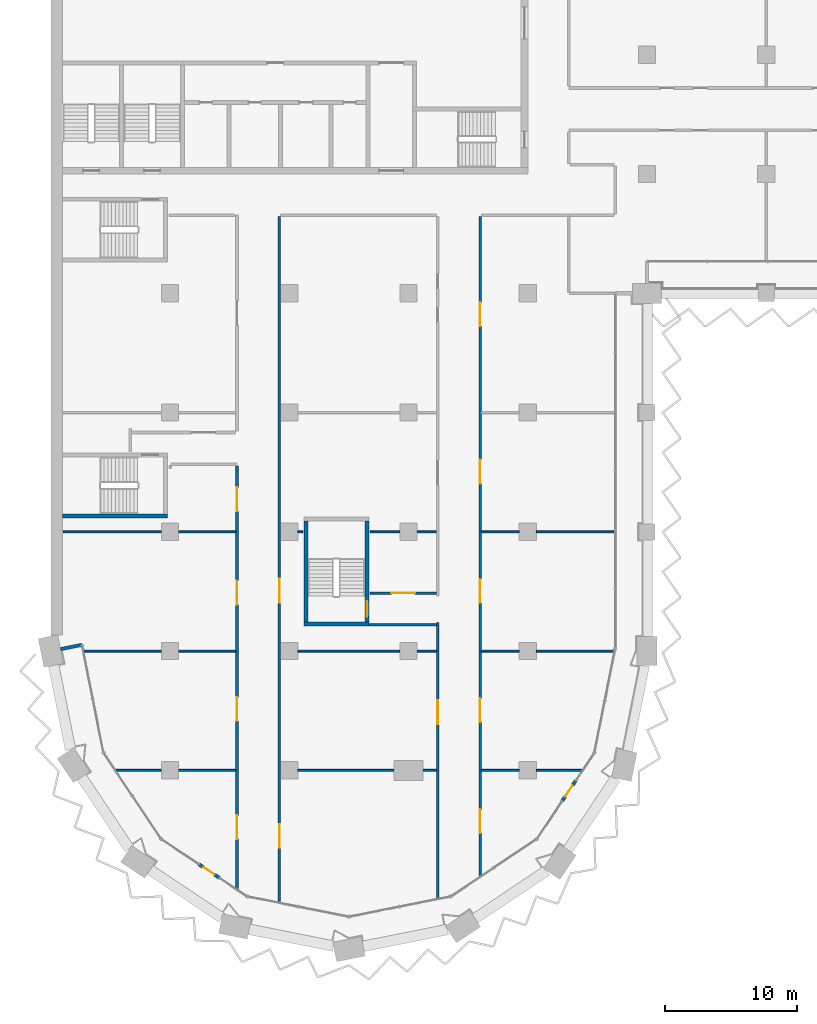
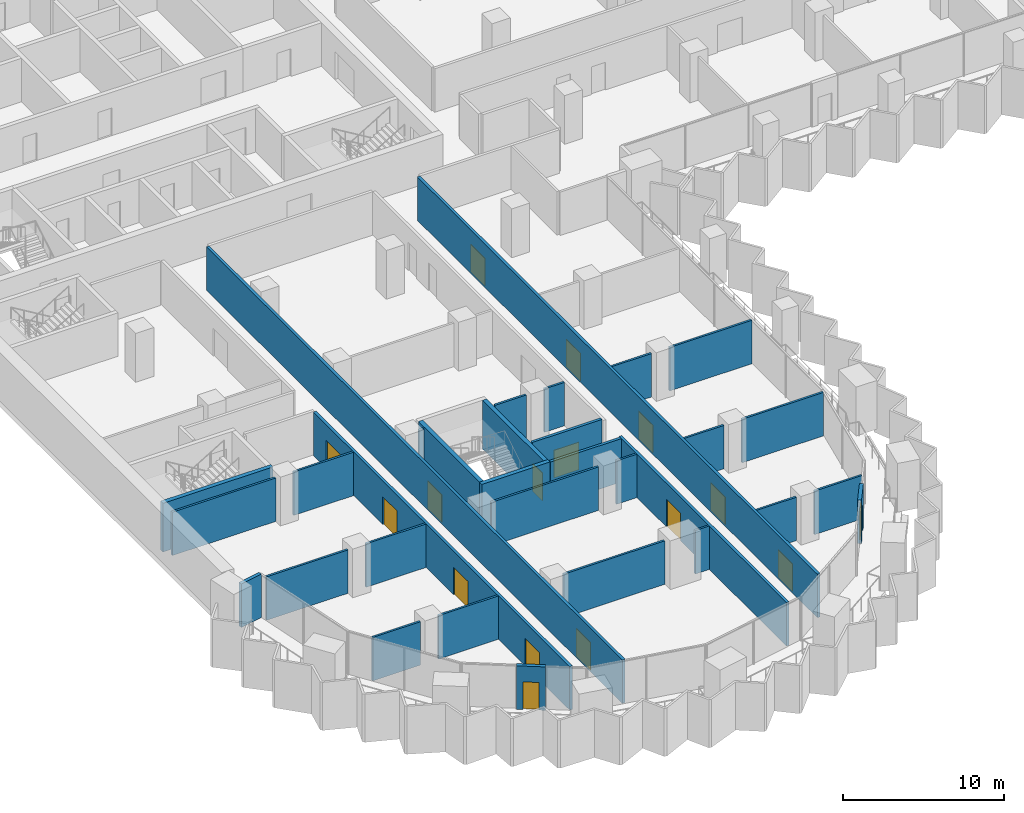
# One storey, part 9 of 22: 32 walls, 16 doors, 16 openings.
"""IFC4 building model written with IfcOpenShell, lengths in metres."""

from ifc_helpers import new_model, si_unit, direction, frame, frame_2d, origin, place, context, subcontext, project, spatial, rectangle, extrude, material, layer, layer_set, type_object, element, fill, save


model = new_model("IFC4")

# Units and contexts
model_context = context("Model", 3, precision=1e-05, world=origin(), true_north=direction((0.0, 1.0)))
body_context = subcontext(model_context, "Body", "Model", "MODEL_VIEW")
ifc_project = project(units=[si_unit("LENGTHUNIT", "METRE"), si_unit("AREAUNIT", "SQUARE_METRE"), si_unit("VOLUMEUNIT", "CUBIC_METRE"), si_unit("PLANEANGLEUNIT", "RADIAN"), si_unit("MASSUNIT", "GRAM", prefix="KILO")], contexts=[model_context])

# Site, building, storey
site_placement = place(None, origin())
site = spatial("IfcSite", under=ifc_project, at=site_placement, CompositionType="ELEMENT")
building_placement = place(site_placement, origin())
building = spatial("IfcBuilding", under=site, at=building_placement, Name="Hunhe Ridgeline Campus", CompositionType="ELEMENT")
storey_placement = place(building_placement, frame((0.0, 0.0, 114.39990234375)))
storey = spatial("IfcBuildingStorey", under=building, at=storey_placement, Name="L28", CompositionType="ELEMENT", Elevation=114.39990234375)

# Walls
ifc_material_1 = material(Name="Concrete C30", Category="concrete")
ifc_layer_1 = layer(ifc_material_1, 0.25)
ifc_layer_set_1 = layer_set([ifc_layer_1], Name="Corner return wall 250 Concrete C30")
wall_type_1 = type_object("IfcWallType", Name="Corner return wall 250 Concrete C30", PredefinedType="SOLIDWALL", material=ifc_layer_set_1)
wall_1_placement = place(storey_placement, frame((0.7353515625, 27.14697265625, 0.0), z_axis=(0.0, 0.0, 1.0), x_axis=(0.980824468215, 0.194893208067, 0.0)))
element("IfcWall", 1, at=wall_1_placement, inside=storey, type_object=wall_type_1, Name="Corner return wall 1", PredefinedType="SOLIDWALL", context=body_context, shape_type="SweptSolid", body=[
    extrude(rectangle(XDim=1.651123046875, YDim=0.25, at=frame_2d((0.82568359375, 0.0))), origin(), (0.0, 0.0, 1.0), 3.300048828125),
])
ifc_material_2 = material(Name="Gypsum board partition")
ifc_layer_2 = layer(ifc_material_2, 0.199951171875)
ifc_layer_set_2 = layer_set([ifc_layer_2], Name="Corridor partition 200 gypsum board on steel studs")
wall_type_2 = type_object("IfcWallType", Name="Corridor partition 200 gypsum board on steel studs", PredefinedType="PARTITIONING", material=ifc_layer_set_2)
wall_2_placement = place(storey_placement, frame((29.10009765625, 28.97509765625, 0.0), z_axis=(0.0, 0.0, 1.0), x_axis=(-1.0, 0.0, 0.0)))
element("IfcWall", 2, at=wall_2_placement, inside=storey, type_object=wall_type_2, Name="F-L28-wall-013", PredefinedType="PARTITIONING", context=body_context, shape_type="SweptSolid", body=[
    extrude(rectangle(XDim=5.070068359375, YDim=0.199951171875, at=frame_2d((2.53515625, 0.0))), origin(), (0.0, 0.0, 1.0), 3.300048828125),
])

# Wall, opening, door
wall_3_placement = place(storey_placement, frame((24.10400390625, 31.375, 0.0), z_axis=(0.0, 0.0, 1.0), x_axis=(1.0, 0.0, 0.0)))
wall_3 = element("IfcWall", 3, at=wall_3_placement, inside=storey, type_object=wall_type_2, Name="F-L28-wall-014", PredefinedType="PARTITIONING", context=body_context, shape_type="SweptSolid", body=[
    extrude(rectangle(XDim=4.99609375, YDim=0.199951171875, at=frame_2d((2.498046875, 0.0))), origin(), (0.0, 0.0, 1.0), 3.300048828125),
])
opening_1_placement = place(wall_3_placement, frame((1.597900390625, 0.0, 0.0)))
opening_1 = element("IfcOpeningElement", 4, at=opening_1_placement, cuts=wall_3, Name="Opening RD2-008", PredefinedType="OPENING", context=body_context, shape_type="SweptSolid", body=[
    extrude(rectangle(XDim=1.800048828125, YDim=2.10009765625, at=frame_2d((0.89990234375, 1.050048828125))), frame((0.0, 0.10009765625, 0.0), z_axis=(0.0, -1.0, 0.0), x_axis=(1.0, 0.0, 0.0)), (0.0, 0.0, 1.0), 0.199951171875),
])
ifc_material_3 = material(Name="Timber door leaf", Category="wood")
door_type_1 = type_object("IfcDoorType", Name="Double fire door 1800x2100 timber FD60", OperationType="DOUBLE_DOOR_SINGLE_SWING", PredefinedType="DOOR", material=ifc_material_3)
door_1_placement = place(opening_1_placement, origin())
door_1 = element("IfcDoor", 5, at=door_1_placement, inside=storey, type_object=door_type_1, Name="F-L28-door-008", OperationType="DOUBLE_DOOR_SINGLE_SWING", OverallHeight=2.10009765625, OverallWidth=1.800048828125, PredefinedType="DOOR", context=body_context, shape_type="SweptSolid", body=[
    extrude(rectangle(XDim=1.800048828125, YDim=2.10009765625, at=frame_2d((0.89990234375, 1.050048828125))), frame((0.0, 0.02490234375, 0.0), z_axis=(0.0, -1.0, 0.0), x_axis=(1.0, 0.0, 0.0)), (0.0, 0.0, 1.0), 0.050048828125),
])
fill(opening_1, door_1)

# Wall, openings, doors
wall_4_placement = place(storey_placement, frame((14.050048828125, 9.05810546875, 0.0), z_axis=(0.0, 0.0, 1.0), x_axis=(0.0, 1.0, 0.0)))
wall_4 = element("IfcWall", 6, at=wall_4_placement, inside=storey, type_object=wall_type_2, Name="F-L28-wall-043", PredefinedType="PARTITIONING", context=body_context, shape_type="SweptSolid", body=[
    extrude(rectangle(XDim=31.90087890625, YDim=0.199951171875, at=frame_2d((15.950439453125, 0.0))), origin(), (0.0, 0.0, 1.0), 3.300048828125),
])
opening_2_placement = place(wall_4_placement, frame((3.7470703125, 0.0, 0.0)))
opening_2 = element("IfcOpeningElement", 7, at=opening_2_placement, cuts=wall_4, Name="Opening RD2-002", PredefinedType="OPENING", context=body_context, shape_type="SweptSolid", body=[
    extrude(rectangle(XDim=1.800048828125, YDim=2.10009765625, at=frame_2d((0.89990234375, 1.050048828125))), frame((0.0, 0.10009765625, 0.0), z_axis=(0.0, -1.0, 0.0), x_axis=(1.0, 0.0, 0.0)), (0.0, 0.0, 1.0), 0.199951171875),
])
opening_3_placement = place(wall_4_placement, frame((12.6640625, 0.0, 0.0)))
opening_3 = element("IfcOpeningElement", 8, at=opening_3_placement, cuts=wall_4, Name="Opening RD2-006", PredefinedType="OPENING", context=body_context, shape_type="SweptSolid", body=[
    extrude(rectangle(XDim=1.800048828125, YDim=2.10009765625, at=frame_2d((0.89990234375, 1.050048828125))), frame((0.0, 0.10009765625, 0.0), z_axis=(0.0, -1.0, 0.0), x_axis=(1.0, 0.0, 0.0)), (0.0, 0.0, 1.0), 0.199951171875),
])
opening_4_placement = place(wall_4_placement, frame((21.455810546875, 0.0, 0.0)))
opening_4 = element("IfcOpeningElement", 9, at=opening_4_placement, cuts=wall_4, Name="Opening RD2-007", PredefinedType="OPENING", context=body_context, shape_type="SweptSolid", body=[
    extrude(rectangle(XDim=1.800048828125, YDim=2.10009765625, at=frame_2d((0.89990234375, 1.050048828125))), frame((0.0, 0.10009765625, 0.0), z_axis=(0.0, -1.0, 0.0), x_axis=(1.0, 0.0, 0.0)), (0.0, 0.0, 1.0), 0.199951171875),
])
opening_5_placement = place(wall_4_placement, frame((28.489013671875, 0.0, 0.0)))
opening_5 = element("IfcOpeningElement", 10, at=opening_5_placement, cuts=wall_4, Name="Opening RD2-011", PredefinedType="OPENING", context=body_context, shape_type="SweptSolid", body=[
    extrude(rectangle(XDim=1.800048828125, YDim=2.10009765625, at=frame_2d((0.89990234375, 1.050048828125))), frame((0.0, 0.10009765625, 0.0), z_axis=(0.0, -1.0, 0.0), x_axis=(1.0, 0.0, 0.0)), (0.0, 0.0, 1.0), 0.199951171875),
])
door_2_placement = place(opening_2_placement, origin())
door_2 = element("IfcDoor", 11, at=door_2_placement, inside=storey, type_object=door_type_1, Name="F-L28-door-002", OperationType="DOUBLE_DOOR_SINGLE_SWING", OverallHeight=2.10009765625, OverallWidth=1.800048828125, PredefinedType="DOOR", context=body_context, shape_type="SweptSolid", body=[
    extrude(rectangle(XDim=1.800048828125, YDim=2.10009765625, at=frame_2d((0.89990234375, 1.050048828125))), frame((0.0, 0.02490234375, 0.0), z_axis=(0.0, -1.0, 0.0), x_axis=(1.0, 0.0, 0.0)), (0.0, 0.0, 1.0), 0.050048828125),
])
fill(opening_2, door_2)
door_3_placement = place(opening_3_placement, origin())
door_3 = element("IfcDoor", 12, at=door_3_placement, inside=storey, type_object=door_type_1, Name="F-L28-door-006", OperationType="DOUBLE_DOOR_SINGLE_SWING", OverallHeight=2.10009765625, OverallWidth=1.800048828125, PredefinedType="DOOR", context=body_context, shape_type="SweptSolid", body=[
    extrude(rectangle(XDim=1.800048828125, YDim=2.10009765625, at=frame_2d((0.89990234375, 1.050048828125))), frame((0.0, 0.02490234375, 0.0), z_axis=(0.0, -1.0, 0.0), x_axis=(1.0, 0.0, 0.0)), (0.0, 0.0, 1.0), 0.050048828125),
])
fill(opening_3, door_3)
door_4_placement = place(opening_4_placement, origin())
door_4 = element("IfcDoor", 13, at=door_4_placement, inside=storey, type_object=door_type_1, Name="F-L28-door-007", OperationType="DOUBLE_DOOR_SINGLE_SWING", OverallHeight=2.10009765625, OverallWidth=1.800048828125, PredefinedType="DOOR", context=body_context, shape_type="SweptSolid", body=[
    extrude(rectangle(XDim=1.800048828125, YDim=2.10009765625, at=frame_2d((0.89990234375, 1.050048828125))), frame((0.0, 0.02490234375, 0.0), z_axis=(0.0, -1.0, 0.0), x_axis=(1.0, 0.0, 0.0)), (0.0, 0.0, 1.0), 0.050048828125),
])
fill(opening_4, door_4)
door_5_placement = place(opening_5_placement, origin())
door_5 = element("IfcDoor", 14, at=door_5_placement, inside=storey, type_object=door_type_1, Name="F-L28-door-011", OperationType="DOUBLE_DOOR_SINGLE_SWING", OverallHeight=2.10009765625, OverallWidth=1.800048828125, PredefinedType="DOOR", context=body_context, shape_type="SweptSolid", body=[
    extrude(rectangle(XDim=1.800048828125, YDim=2.10009765625, at=frame_2d((0.89990234375, 1.050048828125))), frame((0.0, 0.02490234375, 0.0), z_axis=(0.0, -1.0, 0.0), x_axis=(1.0, 0.0, 0.0)), (0.0, 0.0, 1.0), 0.050048828125),
])
fill(opening_5, door_5)

wall_5_placement = place(storey_placement, frame((17.25, 59.800048828125, 0.0), z_axis=(0.0, 0.0, 1.0), x_axis=(0.0, -1.0, 0.0)))
wall_5 = element("IfcWall", 15, at=wall_5_placement, inside=storey, type_object=wall_type_2, Name="F-L28-wall-045", PredefinedType="PARTITIONING", context=body_context, shape_type="SweptSolid", body=[
    extrude(rectangle(XDim=51.752685546875, YDim=0.199951171875, at=frame_2d((25.87646484375, 0.0))), origin(), (0.0, 0.0, 1.0), 3.300048828125),
])
opening_6_placement = place(wall_5_placement, frame((45.852294921875, 0.0, 0.0)))
opening_6 = element("IfcOpeningElement", 16, at=opening_6_placement, cuts=wall_5, Name="Opening RD2-001", PredefinedType="OPENING", context=body_context, shape_type="SweptSolid", body=[
    extrude(rectangle(XDim=1.800048828125, YDim=2.10009765625, at=frame_2d((0.89990234375, 1.050048828125))), frame((0.0, 0.10009765625, 0.0), z_axis=(0.0, -1.0, 0.0), x_axis=(1.0, 0.0, 0.0)), (0.0, 0.0, 1.0), 0.199951171875),
])
opening_7_placement = place(wall_5_placement, frame((27.351318359375, 0.0, 0.0)))
opening_7 = element("IfcOpeningElement", 17, at=opening_7_placement, cuts=wall_5, Name="Opening RD2-009", PredefinedType="OPENING", context=body_context, shape_type="SweptSolid", body=[
    extrude(rectangle(XDim=1.800048828125, YDim=2.10009765625, at=frame_2d((0.89990234375, 1.050048828125))), frame((0.0, 0.10009765625, 0.0), z_axis=(0.0, -1.0, 0.0), x_axis=(1.0, 0.0, 0.0)), (0.0, 0.0, 1.0), 0.199951171875),
])
door_6_placement = place(opening_6_placement, origin())
door_6 = element("IfcDoor", 18, at=door_6_placement, inside=storey, type_object=door_type_1, Name="F-L28-door-001", OperationType="DOUBLE_DOOR_SINGLE_SWING", OverallHeight=2.10009765625, OverallWidth=1.800048828125, PredefinedType="DOOR", context=body_context, shape_type="SweptSolid", body=[
    extrude(rectangle(XDim=1.800048828125, YDim=2.10009765625, at=frame_2d((0.89990234375, 1.050048828125))), frame((0.0, 0.02490234375, 0.0), z_axis=(0.0, -1.0, 0.0), x_axis=(1.0, 0.0, 0.0)), (0.0, 0.0, 1.0), 0.050048828125),
])
fill(opening_6, door_6)
door_7_placement = place(opening_7_placement, origin())
door_7 = element("IfcDoor", 19, at=door_7_placement, inside=storey, type_object=door_type_1, Name="F-L28-door-009", OperationType="DOUBLE_DOOR_SINGLE_SWING", OverallHeight=2.10009765625, OverallWidth=1.800048828125, PredefinedType="DOOR", context=body_context, shape_type="SweptSolid", body=[
    extrude(rectangle(XDim=1.800048828125, YDim=2.10009765625, at=frame_2d((0.89990234375, 1.050048828125))), frame((0.0, 0.02490234375, 0.0), z_axis=(0.0, -1.0, 0.0), x_axis=(1.0, 0.0, 0.0)), (0.0, 0.0, 1.0), 0.050048828125),
])
fill(opening_7, door_7)

# Wall, opening, door
wall_6_placement = place(storey_placement, frame((29.199951171875, 8.335693359375, 0.0), z_axis=(0.0, 0.0, 1.0), x_axis=(0.0, 1.0, 0.0)))
wall_6 = element("IfcWall", 20, at=wall_6_placement, inside=storey, type_object=wall_type_2, Name="F-L28-wall-046", PredefinedType="PARTITIONING", context=body_context, shape_type="SweptSolid", body=[
    extrude(rectangle(XDim=20.82421875, YDim=0.199951171875, at=frame_2d((10.412109375, 0.0))), origin(), (0.0, 0.0, 1.0), 3.300048828125),
])
opening_8_placement = place(wall_6_placement, frame((13.14990234375, 0.0, 0.0)))
opening_8 = element("IfcOpeningElement", 21, at=opening_8_placement, cuts=wall_6, Name="Opening RD2-004", PredefinedType="OPENING", context=body_context, shape_type="SweptSolid", body=[
    extrude(rectangle(XDim=1.800048828125, YDim=2.10009765625, at=frame_2d((0.89990234375, 1.050048828125))), frame((0.0, 0.10009765625, 0.0), z_axis=(0.0, -1.0, 0.0), x_axis=(1.0, 0.0, 0.0)), (0.0, 0.0, 1.0), 0.199951171875),
])
door_8_placement = place(opening_8_placement, origin())
door_8 = element("IfcDoor", 22, at=door_8_placement, inside=storey, type_object=door_type_1, Name="F-L28-door-004", OperationType="DOUBLE_DOOR_SINGLE_SWING", OverallHeight=2.10009765625, OverallWidth=1.800048828125, PredefinedType="DOOR", context=body_context, shape_type="SweptSolid", body=[
    extrude(rectangle(XDim=1.800048828125, YDim=2.10009765625, at=frame_2d((0.89990234375, 1.050048828125))), frame((0.0, 0.02490234375, 0.0), z_axis=(0.0, -1.0, 0.0), x_axis=(1.0, 0.0, 0.0)), (0.0, 0.0, 1.0), 0.050048828125),
])
fill(opening_8, door_8)

# Wall, openings, doors
wall_7_placement = place(storey_placement, frame((32.39990234375, 59.800048828125, 0.0), z_axis=(0.0, 0.0, 1.0), x_axis=(0.0, -1.0, 0.0)))
wall_7 = element("IfcWall", 23, at=wall_7_placement, inside=storey, type_object=wall_type_2, Name="F-L28-wall-048", PredefinedType="PARTITIONING", context=body_context, shape_type="SweptSolid", body=[
    extrude(rectangle(XDim=49.77294921875, YDim=0.199951171875, at=frame_2d((24.886474609375, 0.0))), origin(), (0.0, 0.0, 1.0), 3.300048828125),
])
opening_9_placement = place(wall_7_placement, frame((44.74609375, 0.0, 0.0)))
opening_9 = element("IfcOpeningElement", 24, at=opening_9_placement, cuts=wall_7, Name="Opening RD2-003", PredefinedType="OPENING", context=body_context, shape_type="SweptSolid", body=[
    extrude(rectangle(XDim=1.800048828125, YDim=2.10009765625, at=frame_2d((0.89990234375, 1.050048828125))), frame((0.0, 0.10009765625, 0.0), z_axis=(0.0, -1.0, 0.0), x_axis=(1.0, 0.0, 0.0)), (0.0, 0.0, 1.0), 0.199951171875),
])
opening_10_placement = place(wall_7_placement, frame((36.3671875, 0.0, 0.0)))
opening_10 = element("IfcOpeningElement", 25, at=opening_10_placement, cuts=wall_7, Name="Opening RD2-005", PredefinedType="OPENING", context=body_context, shape_type="SweptSolid", body=[
    extrude(rectangle(XDim=1.800048828125, YDim=2.10009765625, at=frame_2d((0.89990234375, 1.050048828125))), frame((0.0, 0.10009765625, 0.0), z_axis=(0.0, -1.0, 0.0), x_axis=(1.0, 0.0, 0.0)), (0.0, 0.0, 1.0), 0.199951171875),
])
opening_11_placement = place(wall_7_placement, frame((27.363037109375, 0.0, 0.0)))
opening_11 = element("IfcOpeningElement", 26, at=opening_11_placement, cuts=wall_7, Name="Opening RD2-010", PredefinedType="OPENING", context=body_context, shape_type="SweptSolid", body=[
    extrude(rectangle(XDim=1.800048828125, YDim=2.10009765625, at=frame_2d((0.89990234375, 1.050048828125))), frame((0.0, 0.10009765625, 0.0), z_axis=(0.0, -1.0, 0.0), x_axis=(1.0, 0.0, 0.0)), (0.0, 0.0, 1.0), 0.199951171875),
])
opening_12_placement = place(wall_7_placement, frame((18.35888671875, 0.0, 0.0)))
opening_12 = element("IfcOpeningElement", 27, at=opening_12_placement, cuts=wall_7, Name="Opening RD2-013", PredefinedType="OPENING", context=body_context, shape_type="SweptSolid", body=[
    extrude(rectangle(XDim=1.800048828125, YDim=2.10009765625, at=frame_2d((0.89990234375, 1.050048828125))), frame((0.0, 0.10009765625, 0.0), z_axis=(0.0, -1.0, 0.0), x_axis=(1.0, 0.0, 0.0)), (0.0, 0.0, 1.0), 0.199951171875),
])
opening_13_placement = place(wall_7_placement, frame((6.478515625, 0.0, 0.0)))
opening_13 = element("IfcOpeningElement", 28, at=opening_13_placement, cuts=wall_7, Name="Opening RD2-016", PredefinedType="OPENING", context=body_context, shape_type="SweptSolid", body=[
    extrude(rectangle(XDim=1.800048828125, YDim=2.10009765625, at=frame_2d((0.89990234375, 1.050048828125))), frame((0.0, 0.10009765625, 0.0), z_axis=(0.0, -1.0, 0.0), x_axis=(1.0, 0.0, 0.0)), (0.0, 0.0, 1.0), 0.199951171875),
])
door_9_placement = place(opening_9_placement, origin())
door_9 = element("IfcDoor", 29, at=door_9_placement, inside=storey, type_object=door_type_1, Name="F-L28-door-003", OperationType="DOUBLE_DOOR_SINGLE_SWING", OverallHeight=2.10009765625, OverallWidth=1.800048828125, PredefinedType="DOOR", context=body_context, shape_type="SweptSolid", body=[
    extrude(rectangle(XDim=1.800048828125, YDim=2.10009765625, at=frame_2d((0.89990234375, 1.050048828125))), frame((0.0, 0.02490234375, 0.0), z_axis=(0.0, -1.0, 0.0), x_axis=(1.0, 0.0, 0.0)), (0.0, 0.0, 1.0), 0.050048828125),
])
fill(opening_9, door_9)
door_10_placement = place(opening_10_placement, origin())
door_10 = element("IfcDoor", 30, at=door_10_placement, inside=storey, type_object=door_type_1, Name="F-L28-door-005", OperationType="DOUBLE_DOOR_SINGLE_SWING", OverallHeight=2.10009765625, OverallWidth=1.800048828125, PredefinedType="DOOR", context=body_context, shape_type="SweptSolid", body=[
    extrude(rectangle(XDim=1.800048828125, YDim=2.10009765625, at=frame_2d((0.89990234375, 1.050048828125))), frame((0.0, 0.02490234375, 0.0), z_axis=(0.0, -1.0, 0.0), x_axis=(1.0, 0.0, 0.0)), (0.0, 0.0, 1.0), 0.050048828125),
])
fill(opening_10, door_10)
door_11_placement = place(opening_11_placement, origin())
door_11 = element("IfcDoor", 31, at=door_11_placement, inside=storey, type_object=door_type_1, Name="F-L28-door-010", OperationType="DOUBLE_DOOR_SINGLE_SWING", OverallHeight=2.10009765625, OverallWidth=1.800048828125, PredefinedType="DOOR", context=body_context, shape_type="SweptSolid", body=[
    extrude(rectangle(XDim=1.800048828125, YDim=2.10009765625, at=frame_2d((0.89990234375, 1.050048828125))), frame((0.0, 0.02490234375, 0.0), z_axis=(0.0, -1.0, 0.0), x_axis=(1.0, 0.0, 0.0)), (0.0, 0.0, 1.0), 0.050048828125),
])
fill(opening_11, door_11)
door_12_placement = place(opening_12_placement, origin())
door_12 = element("IfcDoor", 32, at=door_12_placement, inside=storey, type_object=door_type_1, Name="F-L28-door-013", OperationType="DOUBLE_DOOR_SINGLE_SWING", OverallHeight=2.10009765625, OverallWidth=1.800048828125, PredefinedType="DOOR", context=body_context, shape_type="SweptSolid", body=[
    extrude(rectangle(XDim=1.800048828125, YDim=2.10009765625, at=frame_2d((0.89990234375, 1.050048828125))), frame((0.0, 0.02490234375, 0.0), z_axis=(0.0, -1.0, 0.0), x_axis=(1.0, 0.0, 0.0)), (0.0, 0.0, 1.0), 0.050048828125),
])
fill(opening_12, door_12)
door_13_placement = place(opening_13_placement, origin())
door_13 = element("IfcDoor", 33, at=door_13_placement, inside=storey, type_object=door_type_1, Name="F-L28-door-016", OperationType="DOUBLE_DOOR_SINGLE_SWING", OverallHeight=2.10009765625, OverallWidth=1.800048828125, PredefinedType="DOOR", context=body_context, shape_type="SweptSolid", body=[
    extrude(rectangle(XDim=1.800048828125, YDim=2.10009765625, at=frame_2d((0.89990234375, 1.050048828125))), frame((0.0, 0.02490234375, 0.0), z_axis=(0.0, -1.0, 0.0), x_axis=(1.0, 0.0, 0.0)), (0.0, 0.0, 1.0), 0.050048828125),
])
fill(opening_13, door_13)

# Wall, opening, door
ifc_layer_3 = layer(ifc_material_1, 0.25)
ifc_layer_set_3 = layer_set([ifc_layer_3], Name="Loggia door pier wall 250 Concrete C30")
wall_type_3 = type_object("IfcWallType", Name="Loggia door pier wall 250 Concrete C30", PredefinedType="SOLIDWALL", material=ifc_layer_set_3)
wall_8_placement = place(storey_placement, frame((11.19970703125, 10.897705078125, 0.0), z_axis=(0.0, 0.0, 1.0), x_axis=(0.83146554274, -0.555576323502, 0.0)))
wall_8 = element("IfcWall", 34, at=wall_8_placement, inside=storey, type_object=wall_type_3, Name="Loggia door pier 1", PredefinedType="SOLIDWALL", context=body_context, shape_type="SweptSolid", body=[
    extrude(rectangle(XDim=1.800048828125, YDim=0.25, at=frame_2d((0.89990234375, 0.0))), origin(), (0.0, 0.0, 1.0), 3.300048828125),
])
opening_14_placement = place(wall_8_placement, frame((0.39990234375, 0.0, 0.0)))
opening_14 = element("IfcOpeningElement", 35, at=opening_14_placement, cuts=wall_8, Name="Opening BD202", PredefinedType="OPENING", context=body_context, shape_type="SweptSolid", body=[
    extrude(rectangle(XDim=1.0, YDim=2.10009765625, at=frame_2d((0.5, 1.050048828125))), frame((0.0, 0.125, 0.0), z_axis=(0.0, -1.0, 0.0), x_axis=(1.0, 0.0, 0.0)), (0.0, 0.0, 1.0), 0.25),
])
ifc_material_4 = material(Name="Aluminium 6063", Category="aluminium")
door_type_2 = type_object("IfcDoorType", Name="Loggia glazed door 1000x2100", OperationType="NOTDEFINED", PredefinedType="DOOR", material=ifc_material_4)
door_14_placement = place(opening_14_placement, frame((1.0, 0.0, 0.0), z_axis=(0.0, 0.0, 1.0), x_axis=(-1.0, 0.0, 0.0)))
door_14 = element("IfcDoor", 36, at=door_14_placement, inside=storey, type_object=door_type_2, Name="Loggia door BD202", OperationType="SINGLE_SWING_LEFT", OverallHeight=2.10009765625, OverallWidth=1.0, PredefinedType="DOOR", context=body_context, shape_type="SweptSolid", body=[
    extrude(rectangle(XDim=1.0, YDim=2.10009765625, at=frame_2d((0.5, 1.050048828125))), frame((0.0, 0.02490234375, 0.0), z_axis=(0.0, -1.0, 0.0), x_axis=(1.0, 0.0, 0.0)), (0.0, 0.0, 1.0), 0.050048828125),
])
fill(opening_14, door_14)

wall_9_placement = place(storey_placement, frame((38.602294921875, 15.69970703125, 0.0), z_axis=(0.0, 0.0, 1.0), x_axis=(0.555576323502, 0.83146554274, 0.0)))
wall_9 = element("IfcWall", 37, at=wall_9_placement, inside=storey, type_object=wall_type_3, Name="Loggia door pier 2", PredefinedType="SOLIDWALL", context=body_context, shape_type="SweptSolid", body=[
    extrude(rectangle(XDim=1.800048828125, YDim=0.25, at=frame_2d((0.89990234375, 0.0))), origin(), (0.0, 0.0, 1.0), 3.300048828125),
])
opening_15_placement = place(wall_9_placement, frame((0.39990234375, 0.0, 0.0)))
opening_15 = element("IfcOpeningElement", 38, at=opening_15_placement, cuts=wall_9, Name="Opening BD204", PredefinedType="OPENING", context=body_context, shape_type="SweptSolid", body=[
    extrude(rectangle(XDim=1.0, YDim=2.10009765625, at=frame_2d((0.5, 1.050048828125))), frame((0.0, 0.125, 0.0), z_axis=(0.0, -1.0, 0.0), x_axis=(1.0, 0.0, 0.0)), (0.0, 0.0, 1.0), 0.25),
])
door_15_placement = place(opening_15_placement, frame((1.0, 0.0, 0.0), z_axis=(0.0, 0.0, 1.0), x_axis=(-1.0, 0.0, 0.0)))
door_15 = element("IfcDoor", 39, at=door_15_placement, inside=storey, type_object=door_type_2, Name="Loggia door BD204", OperationType="SINGLE_SWING_LEFT", OverallHeight=2.10009765625, OverallWidth=1.0, PredefinedType="DOOR", context=body_context, shape_type="SweptSolid", body=[
    extrude(rectangle(XDim=1.0, YDim=2.10009765625, at=frame_2d((0.5, 1.050048828125))), frame((0.0, 0.02490234375, 0.0), z_axis=(0.0, -1.0, 0.0), x_axis=(1.0, 0.0, 0.0)), (0.0, 0.0, 1.0), 0.050048828125),
])
fill(opening_15, door_15)

# Walls
ifc_layer_4 = layer(ifc_material_2, 0.14990234375)
ifc_layer_set_4 = layer_set([ifc_layer_4], Name="Room partition 150 gypsum board on steel studs")
wall_type_4 = type_object("IfcWallType", Name="Room partition 150 gypsum board on steel studs", PredefinedType="PARTITIONING", material=ifc_layer_set_4)
wall_10_placement = place(storey_placement, frame((4.925537109375, 18.0, 0.0), z_axis=(0.0, 0.0, 1.0), x_axis=(1.0, 0.0, 0.0)))
element("IfcWall", 40, at=wall_10_placement, inside=storey, type_object=wall_type_4, Name="F-L28-wall-001", PredefinedType="PARTITIONING", context=body_context, shape_type="SweptSolid", body=[
    extrude(rectangle(XDim=3.424560546875, YDim=0.14990234375, at=frame_2d((1.71240234375, 0.0))), origin(), (0.0, 0.0, 1.0), 3.300048828125),
])
wall_11_placement = place(storey_placement, frame((9.64990234375, 18.0, 0.0), z_axis=(0.0, 0.0, 1.0), x_axis=(1.0, 0.0, 0.0)))
element("IfcWall", 41, at=wall_11_placement, inside=storey, type_object=wall_type_4, Name="F-L28-wall-002", PredefinedType="PARTITIONING", context=body_context, shape_type="SweptSolid", body=[
    extrude(rectangle(XDim=4.300048828125, YDim=0.14990234375, at=frame_2d((2.14990234375, 0.0))), origin(), (0.0, 0.0, 1.0), 3.300048828125),
])
wall_12_placement = place(storey_placement, frame((18.64990234375, 18.0, 0.0), z_axis=(0.0, 0.0, 1.0), x_axis=(1.0, 0.0, 0.0)))
element("IfcWall", 42, at=wall_12_placement, inside=storey, type_object=wall_type_4, Name="F-L28-wall-003", PredefinedType="PARTITIONING", context=body_context, shape_type="SweptSolid", body=[
    extrude(rectangle(XDim=7.25, YDim=0.14990234375, at=frame_2d((3.625, 0.0))), origin(), (0.0, 0.0, 1.0), 3.300048828125),
])
wall_13_placement = place(storey_placement, frame((28.10009765625, 18.0, 0.0), z_axis=(0.0, 0.0, 1.0), x_axis=(1.0, 0.0, 0.0)))
element("IfcWall", 43, at=wall_13_placement, inside=storey, type_object=wall_type_4, Name="F-L28-wall-004", PredefinedType="PARTITIONING", context=body_context, shape_type="SweptSolid", body=[
    extrude(rectangle(XDim=1.0, YDim=0.14990234375, at=frame_2d((0.5, 0.0))), origin(), (0.0, 0.0, 1.0), 3.300048828125),
])
wall_14_placement = place(storey_placement, frame((32.5, 18.0, 0.0), z_axis=(0.0, 0.0, 1.0), x_axis=(1.0, 0.0, 0.0)))
element("IfcWall", 44, at=wall_14_placement, inside=storey, type_object=wall_type_4, Name="F-L28-wall-005", PredefinedType="PARTITIONING", context=body_context, shape_type="SweptSolid", body=[
    extrude(rectangle(XDim=2.85009765625, YDim=0.14990234375, at=frame_2d((1.425048828125, 0.0))), origin(), (0.0, 0.0, 1.0), 3.300048828125),
])
wall_15_placement = place(storey_placement, frame((36.64990234375, 18.0, 0.0), z_axis=(0.0, 0.0, 1.0), x_axis=(1.0, 0.0, 0.0)))
element("IfcWall", 45, at=wall_15_placement, inside=storey, type_object=wall_type_4, Name="F-L28-wall-006", PredefinedType="PARTITIONING", context=body_context, shape_type="SweptSolid", body=[
    extrude(rectangle(XDim=3.424560546875, YDim=0.14990234375, at=frame_2d((1.71240234375, 0.0))), origin(), (0.0, 0.0, 1.0), 3.300048828125),
])
wall_16_placement = place(storey_placement, frame((2.503173828125, 27.0, 0.0), z_axis=(0.0, 0.0, 1.0), x_axis=(1.0, 0.0, 0.0)))
element("IfcWall", 46, at=wall_16_placement, inside=storey, type_object=wall_type_4, Name="F-L28-wall-007", PredefinedType="PARTITIONING", context=body_context, shape_type="SweptSolid", body=[
    extrude(rectangle(XDim=5.846923828125, YDim=0.14990234375, at=frame_2d((2.92333984375, 0.0))), origin(), (0.0, 0.0, 1.0), 3.300048828125),
])
wall_17_placement = place(storey_placement, frame((9.64990234375, 27.0, 0.0), z_axis=(0.0, 0.0, 1.0), x_axis=(1.0, 0.0, 0.0)))
element("IfcWall", 47, at=wall_17_placement, inside=storey, type_object=wall_type_4, Name="F-L28-wall-008", PredefinedType="PARTITIONING", context=body_context, shape_type="SweptSolid", body=[
    extrude(rectangle(XDim=4.300048828125, YDim=0.14990234375, at=frame_2d((2.14990234375, 0.0))), origin(), (0.0, 0.0, 1.0), 3.300048828125),
])
wall_18_placement = place(storey_placement, frame((18.64990234375, 27.0, 0.0), z_axis=(0.0, 0.0, 1.0), x_axis=(1.0, 0.0, 0.0)))
element("IfcWall", 48, at=wall_18_placement, inside=storey, type_object=wall_type_4, Name="F-L28-wall-009", PredefinedType="PARTITIONING", context=body_context, shape_type="SweptSolid", body=[
    extrude(rectangle(XDim=7.7001953125, YDim=0.14990234375, at=frame_2d((3.85009765625, 0.0))), origin(), (0.0, 0.0, 1.0), 3.300048828125),
])
wall_19_placement = place(storey_placement, frame((27.64990234375, 27.0, 0.0), z_axis=(0.0, 0.0, 1.0), x_axis=(1.0, 0.0, 0.0)))
element("IfcWall", 49, at=wall_19_placement, inside=storey, type_object=wall_type_4, Name="F-L28-wall-010", PredefinedType="PARTITIONING", context=body_context, shape_type="SweptSolid", body=[
    extrude(rectangle(XDim=1.4501953125, YDim=0.14990234375, at=frame_2d((0.72509765625, 0.0))), origin(), (0.0, 0.0, 1.0), 3.300048828125),
])
wall_20_placement = place(storey_placement, frame((32.5, 27.0, 0.0), z_axis=(0.0, 0.0, 1.0), x_axis=(1.0, 0.0, 0.0)))
element("IfcWall", 50, at=wall_20_placement, inside=storey, type_object=wall_type_4, Name="F-L28-wall-011", PredefinedType="PARTITIONING", context=body_context, shape_type="SweptSolid", body=[
    extrude(rectangle(XDim=2.85009765625, YDim=0.14990234375, at=frame_2d((1.425048828125, 0.0))), origin(), (0.0, 0.0, 1.0), 3.300048828125),
])
wall_21_placement = place(storey_placement, frame((36.64990234375, 27.0, 0.0), z_axis=(0.0, 0.0, 1.0), x_axis=(1.0, 0.0, 0.0)))
element("IfcWall", 51, at=wall_21_placement, inside=storey, type_object=wall_type_4, Name="F-L28-wall-012", PredefinedType="PARTITIONING", context=body_context, shape_type="SweptSolid", body=[
    extrude(rectangle(XDim=5.846923828125, YDim=0.14990234375, at=frame_2d((2.92333984375, 0.0))), origin(), (0.0, 0.0, 1.0), 3.300048828125),
])
wall_22_placement = place(storey_placement, frame((0.919921875, 36.0, 0.0), z_axis=(0.0, 0.0, 1.0), x_axis=(1.0, 0.0, 0.0)))
element("IfcWall", 52, at=wall_22_placement, inside=storey, type_object=wall_type_4, Name="F-L28-wall-015", PredefinedType="PARTITIONING", context=body_context, shape_type="SweptSolid", body=[
    extrude(rectangle(XDim=7.43017578125, YDim=0.14990234375, at=frame_2d((3.715087890625, 0.0))), origin(), (0.0, 0.0, 1.0), 3.300048828125),
])
wall_23_placement = place(storey_placement, frame((9.64990234375, 36.0, 0.0), z_axis=(0.0, 0.0, 1.0), x_axis=(1.0, 0.0, 0.0)))
element("IfcWall", 53, at=wall_23_placement, inside=storey, type_object=wall_type_4, Name="F-L28-wall-016", PredefinedType="PARTITIONING", context=body_context, shape_type="SweptSolid", body=[
    extrude(rectangle(XDim=4.300048828125, YDim=0.14990234375, at=frame_2d((2.14990234375, 0.0))), origin(), (0.0, 0.0, 1.0), 3.300048828125),
])
wall_24_placement = place(storey_placement, frame((18.64990234375, 36.0, 0.0), z_axis=(0.0, 0.0, 1.0), x_axis=(1.0, 0.0, 0.0)))
element("IfcWall", 54, at=wall_24_placement, inside=storey, type_object=wall_type_4, Name="F-L28-wall-017", PredefinedType="PARTITIONING", context=body_context, shape_type="SweptSolid", body=[
    extrude(rectangle(XDim=0.34619140625, YDim=0.14990234375, at=frame_2d((0.173095703125, 0.0))), origin(), (0.0, 0.0, 1.0), 3.300048828125),
])
wall_25_placement = place(storey_placement, frame((24.10400390625, 36.0, 0.0), z_axis=(0.0, 0.0, 1.0), x_axis=(1.0, 0.0, 0.0)))
element("IfcWall", 55, at=wall_25_placement, inside=storey, type_object=wall_type_4, Name="F-L28-wall-018", PredefinedType="PARTITIONING", context=body_context, shape_type="SweptSolid", body=[
    extrude(rectangle(XDim=2.24609375, YDim=0.14990234375, at=frame_2d((1.123046875, 0.0))), origin(), (0.0, 0.0, 1.0), 3.300048828125),
])
wall_26_placement = place(storey_placement, frame((27.64990234375, 36.0, 0.0), z_axis=(0.0, 0.0, 1.0), x_axis=(1.0, 0.0, 0.0)))
element("IfcWall", 56, at=wall_26_placement, inside=storey, type_object=wall_type_4, Name="F-L28-wall-019", PredefinedType="PARTITIONING", context=body_context, shape_type="SweptSolid", body=[
    extrude(rectangle(XDim=1.4501953125, YDim=0.14990234375, at=frame_2d((0.72509765625, 0.0))), origin(), (0.0, 0.0, 1.0), 3.300048828125),
])
wall_27_placement = place(storey_placement, frame((32.5, 36.0, 0.0), z_axis=(0.0, 0.0, 1.0), x_axis=(1.0, 0.0, 0.0)))
element("IfcWall", 57, at=wall_27_placement, inside=storey, type_object=wall_type_4, Name="F-L28-wall-020", PredefinedType="PARTITIONING", context=body_context, shape_type="SweptSolid", body=[
    extrude(rectangle(XDim=2.85009765625, YDim=0.14990234375, at=frame_2d((1.425048828125, 0.0))), origin(), (0.0, 0.0, 1.0), 3.300048828125),
])
wall_28_placement = place(storey_placement, frame((36.64990234375, 36.0, 0.0), z_axis=(0.0, 0.0, 1.0), x_axis=(1.0, 0.0, 0.0)))
element("IfcWall", 58, at=wall_28_placement, inside=storey, type_object=wall_type_4, Name="F-L28-wall-021", PredefinedType="PARTITIONING", context=body_context, shape_type="SweptSolid", body=[
    extrude(rectangle(XDim=5.895263671875, YDim=0.14990234375, at=frame_2d((2.94775390625, 0.0))), origin(), (0.0, 0.0, 1.0), 3.300048828125),
])
ifc_material_5 = material(Name="Concrete C80", Category="concrete")
ifc_layer_5 = layer(ifc_material_5, 0.300048828125)
ifc_layer_set_5 = layer_set([ifc_layer_5], Name="Stair wall 300 reinforced concrete C80")
wall_type_5 = type_object("IfcWallType", Name="Stair wall 300 reinforced concrete C80", PredefinedType="SOLIDWALL", material=ifc_layer_set_5)
wall_29_placement = place(storey_placement, frame((19.10009765625, 29.050048828125, -0.39990234375), z_axis=(0.0, 0.0, 1.0), x_axis=(1.0, 0.0, 0.0)))
element("IfcWall", 59, at=wall_29_placement, inside=storey, type_object=wall_type_5, Name="L28 core wall 1", PredefinedType="SOLIDWALL", context=body_context, shape_type="SweptSolid", body=[
    extrude(rectangle(XDim=4.89990234375, YDim=0.300048828125, at=frame_2d((2.449951171875, 0.0))), origin(), (0.0, 0.0, 1.0), 3.699951171875),
])
wall_30_placement = place(storey_placement, frame((0.89990234375, 37.199951171875, -0.39990234375), z_axis=(0.0, 0.0, 1.0), x_axis=(1.0, 0.0, 0.0)))
element("IfcWall", 60, at=wall_30_placement, inside=storey, type_object=wall_type_5, Name="L28 core wall 3", PredefinedType="SOLIDWALL", context=body_context, shape_type="SweptSolid", body=[
    extrude(rectangle(XDim=7.900146484375, YDim=0.300048828125, at=frame_2d((3.9501953125, 0.0))), origin(), (0.0, 0.0, 1.0), 3.699951171875),
])
wall_31_placement = place(storey_placement, frame((19.25, 29.199951171875, -0.39990234375), z_axis=(0.0, 0.0, 1.0), x_axis=(0.0, 1.0, 0.0)))
element("IfcWall", 61, at=wall_31_placement, inside=storey, type_object=wall_type_5, Name="L28 core wall 48", PredefinedType="SOLIDWALL", context=body_context, shape_type="SweptSolid", body=[
    extrude(rectangle(XDim=7.60009765625, YDim=0.300048828125, at=frame_2d((3.800048828125, 0.0))), origin(), (0.0, 0.0, 1.0), 3.699951171875),
])

# Wall, opening, door
wall_32_placement = place(storey_placement, frame((23.85009765625, 29.199951171875, -0.39990234375), z_axis=(0.0, 0.0, 1.0), x_axis=(0.0, 1.0, 0.0)))
wall_32 = element("IfcWall", 62, at=wall_32_placement, inside=storey, type_object=wall_type_5, Name="L28 core wall 53", PredefinedType="SOLIDWALL", context=body_context, shape_type="SweptSolid", body=[
    extrude(rectangle(XDim=7.60009765625, YDim=0.300048828125, at=frame_2d((3.800048828125, 0.0))), origin(), (0.0, 0.0, 1.0), 3.699951171875),
])
opening_16_placement = place(wall_32_placement, frame((0.375, 0.0, 0.39990234375)))
opening_16 = element("IfcOpeningElement", 63, at=opening_16_placement, cuts=wall_32, Name="Opening CD23", PredefinedType="OPENING", context=body_context, shape_type="SweptSolid", body=[
    extrude(rectangle(XDim=1.199951171875, YDim=2.10009765625, at=frame_2d((0.60009765625, 1.050048828125))), frame((0.0, 0.14990234375, 0.0), z_axis=(0.0, -1.0, 0.0), x_axis=(1.0, 0.0, 0.0)), (0.0, 0.0, 1.0), 0.300048828125),
])
ifc_material_6 = material(Name="Hollow metal fire door leaf")
door_type_3 = type_object("IfcDoorType", Name="Stair door 1200x2100 FD60", OperationType="SINGLE_SWING_LEFT", PredefinedType="DOOR", material=ifc_material_6)
door_16_placement = place(opening_16_placement, frame((1.199951171875, 0.0, 0.0), z_axis=(0.0, 0.0, 1.0), x_axis=(-1.0, 0.0, 0.0)))
door_16 = element("IfcDoor", 64, at=door_16_placement, inside=storey, type_object=door_type_3, Name="L28 door W3", OperationType="SINGLE_SWING_LEFT", OverallHeight=2.10009765625, OverallWidth=1.199951171875, PredefinedType="DOOR", context=body_context, shape_type="SweptSolid", body=[
    extrude(rectangle(XDim=1.199951171875, YDim=2.10009765625, at=frame_2d((0.60009765625, 1.050048828125))), frame((0.0, 0.02490234375, 0.0), z_axis=(0.0, -1.0, 0.0), x_axis=(1.0, 0.0, 0.0)), (0.0, 0.0, 1.0), 0.050048828125),
])
fill(opening_16, door_16)

save(model, "model.ifc")
